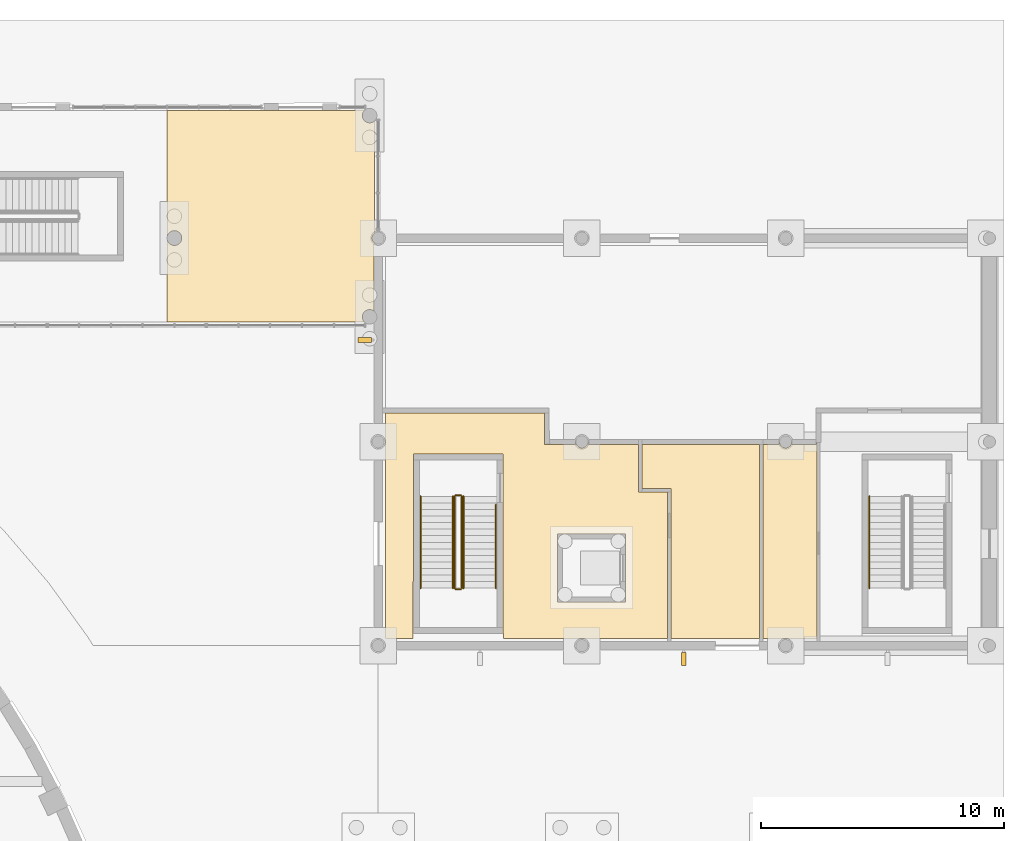
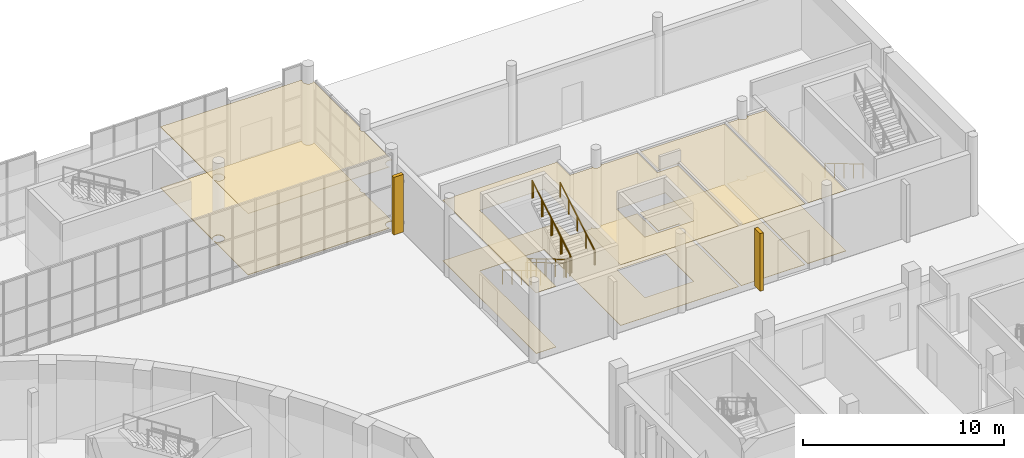
# One storey, part 107 of 110: 10 coverings, 9 railings.
"""IFC4 building model written with IfcOpenShell, lengths in metres."""

from ifc_helpers import new_model, si_unit, direction, frame, origin, origin_2d, place, context, subcontext, project, spatial, polyline, circle, outline, extrude, material, layer, layer_set, type_object, element, save


model = new_model("IFC4")

# Units and contexts
model_context = context("Model", 3, precision=1e-05, world=origin(), true_north=direction((0.0, 1.0)))
body_context = subcontext(model_context, "Body", "Model", "MODEL_VIEW")
ifc_project = project(units=[si_unit("LENGTHUNIT", "METRE"), si_unit("AREAUNIT", "SQUARE_METRE"), si_unit("VOLUMEUNIT", "CUBIC_METRE"), si_unit("PLANEANGLEUNIT", "RADIAN"), si_unit("MASSUNIT", "GRAM", prefix="KILO")], contexts=[model_context])

# Site, building, storey
site_placement = place(None, origin())
site = spatial("IfcSite", under=ifc_project, at=site_placement, CompositionType="ELEMENT")
building_placement = place(site_placement, origin())
building = spatial("IfcBuilding", under=site, at=building_placement, Name="Larchfold Concert Hall", CompositionType="ELEMENT")
storey_placement = place(building_placement, origin())
storey = spatial("IfcBuildingStorey", under=building, at=storey_placement, Name="L00", CompositionType="ELEMENT", Elevation=0.0)

# Coverings
ifc_material_1 = material(Name="Mineral fibre ceiling tile")
ifc_layer_1 = layer(ifc_material_1, 0.02001953125)
ifc_layer_set_1 = layer_set([ifc_layer_1], Name="Mineral fibre ceiling tile")
covering_type_1 = type_object("IfcCoveringType", Name="Ceiling mineral fibre tile 20", PredefinedType="CEILING", material=ifc_layer_set_1)
covering_1_placement = place(storey_placement, frame((0.0, 0.0, 3.68017578125)))
element("IfcCovering", 1, at=covering_1_placement, inside=storey, type_object=covering_type_1, Name="Ceiling Escape Corridor 08", PredefinedType="CEILING", context=body_context, shape_type="SweptSolid", body=[
    extrude(outline(polyline([(77.64990234375, 117.699951171875), (81.35009765625, 117.699951171875), (81.357421875, 110.10009765625), (88.1240234375, 110.10009765625), (88.1240234375, 116.1240234375), (88.18408203125, 116.1240234375), (86.927001953125, 116.1279296875), (86.925048828125, 118.199951171875), (86.925048828125, 118.099853515625), (84.8701171875, 118.100341796875), (84.8701171875, 118.200439453125), (84.85009765625, 118.200439453125), (84.847900390625, 118.167236328125), (84.8310546875, 118.104248046875), (84.79833984375, 118.0478515625), (84.77685546875, 118.023193359375), (84.752197265625, 118.001708984375), (84.69580078125, 117.968994140625), (84.664794921875, 117.95849609375), (84.60009765625, 117.949951171875), (84.535400390625, 117.95849609375), (84.50439453125, 117.968994140625), (84.447998046875, 118.001708984375), (84.42333984375, 118.023193359375), (84.40185546875, 118.0478515625), (84.369140625, 118.104248046875), (84.352294921875, 118.167236328125), (84.35009765625, 118.200439453125), (84.330078125, 118.200439453125), (84.330078125, 118.1005859375), (83.056396484375, 118.1005859375), (83.049560546875, 119.3984375), (83.149658203125, 119.39892578125), (76.5, 119.39892578125), (76.5, 110.10009765625), (77.641845703125, 110.10009765625), (77.64990234375, 113.682861328125), (77.64990234375, 117.699951171875)]), holes=[polyline([(83.60009765625, 111.60009765625), (83.60009765625, 114.39990234375), (86.39990234375, 114.39990234375), (86.39990234375, 111.60009765625), (83.60009765625, 111.60009765625)])]), origin(), (0.0, 0.0, 1.0), 0.02001953125),
])
covering_2_placement = place(storey_placement, frame((0.0, 0.0, 3.68017578125)))
element("IfcCovering", 2, at=covering_2_placement, inside=storey, type_object=covering_type_1, Name="Ceiling Instrument Store", PredefinedType="CEILING", context=body_context, shape_type="SweptSolid", body=[
    extrude(outline(polyline([(87.076904296875, 116.199951171875), (87.0771484375, 116.277587890625), (88.274169921875, 116.273681640625), (88.27392578125, 110.10009765625), (91.925048828125, 110.10009765625), (91.925048828125, 118.099853515625), (87.0751953125, 118.099853515625), (87.076904296875, 116.199951171875)])), origin(), (0.0, 0.0, 1.0), 0.02001953125),
])
covering_3_placement = place(storey_placement, frame((0.0, 0.0, 3.68017578125)))
element("IfcCovering", 3, at=covering_3_placement, inside=storey, type_object=covering_type_1, Name="Ceiling Public Toilets 03", PredefinedType="CEILING", context=body_context, shape_type="SweptSolid", body=[
    extrude(outline(polyline([(92.074951171875, 110.10009765625), (94.28857421875, 110.10009765625), (94.28857421875, 118.179931640625), (94.2509765625, 118.179931640625), (94.2509765625, 118.199951171875), (94.25, 118.099853515625), (93.27001953125, 118.099853515625), (93.27001953125, 118.199951171875), (93.25, 118.199951171875), (93.241455078125, 118.13525390625), (93.23095703125, 118.104248046875), (93.1982421875, 118.0478515625), (93.1767578125, 118.023193359375), (93.152099609375, 118.001708984375), (93.095703125, 117.968994140625), (93.064697265625, 117.95849609375), (93.0, 117.949951171875), (92.935302734375, 117.95849609375), (92.904296875, 117.968994140625), (92.847900390625, 118.001708984375), (92.8232421875, 118.023193359375), (92.8017578125, 118.0478515625), (92.76904296875, 118.104248046875), (92.758544921875, 118.13525390625), (92.75, 118.199951171875), (92.72998046875, 118.199951171875), (92.72998046875, 118.099853515625), (92.074951171875, 118.099853515625), (92.074951171875, 110.10009765625)])), origin(), (0.0, 0.0, 1.0), 0.02001953125),
])
ifc_material_2 = material(Name="Plasterboard ceiling lining")
ifc_layer_2 = layer(ifc_material_2, 0.030029296875)
ifc_layer_set_2 = layer_set([ifc_layer_2], Name="Plasterboard ceiling lining")
covering_type_2 = type_object("IfcCoveringType", Name="Ceiling suspended plasterboard 30", PredefinedType="CEILING", material=ifc_layer_set_2)
covering_4_placement = place(storey_placement, frame((0.0, 0.0, 3.719970703125)))
element("IfcCovering", 4, at=covering_4_placement, inside=storey, type_object=covering_type_2, Name="Ceiling Winter Garden Concourse North East", PredefinedType="CEILING", context=body_context, shape_type="SweptSolid", body=[
    extrude(outline(polyline([(75.62744140625, 131.85009765625), (67.49951171875, 131.85009765625), (67.49951171875, 126.654052734375), (67.50439453125, 126.679443359375), (67.534912109375, 126.7529296875), (67.557373046875, 126.78662109375), (67.613525390625, 126.8427734375), (67.647216796875, 126.864990234375), (67.68310546875, 126.8828125), (67.76025390625, 126.903564453125), (67.839599609375, 126.903564453125), (67.87939453125, 126.895751953125), (67.952880859375, 126.865234375), (67.986572265625, 126.8427734375), (68.042724609375, 126.78662109375), (68.06494140625, 126.7529296875), (68.082763671875, 126.717041015625), (68.103515625, 126.639892578125), (68.103515625, 126.560546875), (68.095703125, 126.520751953125), (68.065185546875, 126.447265625), (68.042724609375, 126.41357421875), (67.986572265625, 126.357421875), (67.952880859375, 126.335205078125), (67.9169921875, 126.3173828125), (67.83984375, 126.296630859375), (67.760498046875, 126.296630859375), (67.720703125, 126.304443359375), (67.647216796875, 126.3349609375), (67.613525390625, 126.357421875), (67.557373046875, 126.41357421875), (67.53515625, 126.447265625), (67.517333984375, 126.483154296875), (67.49951171875, 126.5498046875), (67.49951171875, 123.14990234375), (75.62744140625, 123.14990234375), (75.59033203125, 123.2001953125), (75.572998046875, 123.2353515625), (75.552734375, 123.31103515625), (75.550048828125, 123.35009765625), (75.552734375, 123.38916015625), (75.572998046875, 123.46484375), (75.59033203125, 123.5), (75.637939453125, 123.562255859375), (75.7001953125, 123.60986328125), (75.7353515625, 123.627197265625), (75.81103515625, 123.6474609375), (75.88916015625, 123.6474609375), (75.927734375, 123.639892578125), (75.96484375, 123.627197265625), (76.02490234375, 123.59326171875), (76.02490234375, 126.34912109375), (76.050048828125, 126.34912109375), (76.050048828125, 126.400146484375), (76.023193359375, 126.42333984375), (75.9833984375, 126.47509765625), (75.95849609375, 126.535400390625), (75.949951171875, 126.60009765625), (75.95849609375, 126.664794921875), (75.9833984375, 126.72509765625), (76.023193359375, 126.77685546875), (76.050048828125, 126.800048828125), (76.050048828125, 131.427001953125), (76.0, 131.39013671875), (75.96484375, 131.372802734375), (75.927734375, 131.360107421875), (75.85009765625, 131.349853515625), (75.7724609375, 131.360107421875), (75.7353515625, 131.372802734375), (75.66748046875, 131.411865234375), (75.637939453125, 131.437744140625), (75.612060546875, 131.46728515625), (75.572998046875, 131.53515625), (75.552734375, 131.61083984375), (75.550048828125, 131.64990234375), (75.552734375, 131.68896484375), (75.572998046875, 131.7646484375), (75.59033203125, 131.7998046875), (75.62744140625, 131.85009765625)])), origin(), (0.0, 0.0, 1.0), 0.030029296875),
])
ifc_material_3 = material(Name="Ceramic tile")
ifc_layer_3 = layer(ifc_material_3, 0.030029296875)
ifc_layer_set_3 = layer_set([ifc_layer_3], Name="Ceramic tile")
covering_type_3 = type_object("IfcCoveringType", Name="Floor finish ceramic tile 30", PredefinedType="FLOORING", material=ifc_layer_set_3)
covering_5_placement = place(storey_placement, origin())
element("IfcCovering", 5, at=covering_5_placement, inside=storey, type_object=covering_type_3, Name="Floor finish Public Toilets 03", PredefinedType="FLOORING", context=body_context, shape_type="SweptSolid", body=[
    extrude(outline(polyline([(92.074951171875, 110.10009765625), (94.28857421875, 110.10009765625), (94.28857421875, 118.179931640625), (94.2509765625, 118.179931640625), (94.2509765625, 118.199951171875), (94.25, 118.099853515625), (93.27001953125, 118.099853515625), (93.27001953125, 118.199951171875), (93.25, 118.199951171875), (93.241455078125, 118.13525390625), (93.23095703125, 118.104248046875), (93.1982421875, 118.0478515625), (93.1767578125, 118.023193359375), (93.152099609375, 118.001708984375), (93.095703125, 117.968994140625), (93.064697265625, 117.95849609375), (93.0, 117.949951171875), (92.935302734375, 117.95849609375), (92.904296875, 117.968994140625), (92.847900390625, 118.001708984375), (92.8232421875, 118.023193359375), (92.8017578125, 118.0478515625), (92.76904296875, 118.104248046875), (92.758544921875, 118.13525390625), (92.75, 118.199951171875), (92.72998046875, 118.199951171875), (92.72998046875, 118.099853515625), (92.074951171875, 118.099853515625), (92.074951171875, 110.10009765625)])), origin(), (0.0, 0.0, 1.0), 0.030029296875),
])
ifc_material_4 = material(Name="Polished terrazzo")
ifc_layer_4 = layer(ifc_material_4, 0.0400390625)
ifc_layer_set_4 = layer_set([ifc_layer_4], Name="Polished terrazzo")
covering_type_4 = type_object("IfcCoveringType", Name="Floor finish terrazzo 40", PredefinedType="FLOORING", material=ifc_layer_set_4)
covering_6_placement = place(storey_placement, origin())
element("IfcCovering", 6, at=covering_6_placement, inside=storey, type_object=covering_type_4, Name="Floor finish Winter Garden Concourse North East", PredefinedType="FLOORING", context=body_context, shape_type="SweptSolid", body=[
    extrude(outline(polyline([(75.62744140625, 131.85009765625), (67.49951171875, 131.85009765625), (67.49951171875, 126.654052734375), (67.50439453125, 126.679443359375), (67.534912109375, 126.7529296875), (67.557373046875, 126.78662109375), (67.613525390625, 126.8427734375), (67.647216796875, 126.864990234375), (67.68310546875, 126.8828125), (67.76025390625, 126.903564453125), (67.839599609375, 126.903564453125), (67.87939453125, 126.895751953125), (67.952880859375, 126.865234375), (67.986572265625, 126.8427734375), (68.042724609375, 126.78662109375), (68.06494140625, 126.7529296875), (68.082763671875, 126.717041015625), (68.103515625, 126.639892578125), (68.103515625, 126.560546875), (68.095703125, 126.520751953125), (68.065185546875, 126.447265625), (68.042724609375, 126.41357421875), (67.986572265625, 126.357421875), (67.952880859375, 126.335205078125), (67.9169921875, 126.3173828125), (67.83984375, 126.296630859375), (67.760498046875, 126.296630859375), (67.720703125, 126.304443359375), (67.647216796875, 126.3349609375), (67.613525390625, 126.357421875), (67.557373046875, 126.41357421875), (67.53515625, 126.447265625), (67.517333984375, 126.483154296875), (67.49951171875, 126.5498046875), (67.49951171875, 123.14990234375), (75.62744140625, 123.14990234375), (75.59033203125, 123.2001953125), (75.572998046875, 123.2353515625), (75.552734375, 123.31103515625), (75.550048828125, 123.35009765625), (75.552734375, 123.38916015625), (75.572998046875, 123.46484375), (75.59033203125, 123.5), (75.637939453125, 123.562255859375), (75.7001953125, 123.60986328125), (75.7353515625, 123.627197265625), (75.81103515625, 123.6474609375), (75.88916015625, 123.6474609375), (75.927734375, 123.639892578125), (75.96484375, 123.627197265625), (76.02490234375, 123.59326171875), (76.02490234375, 126.34912109375), (76.050048828125, 126.34912109375), (76.050048828125, 126.400146484375), (76.023193359375, 126.42333984375), (75.9833984375, 126.47509765625), (75.95849609375, 126.535400390625), (75.949951171875, 126.60009765625), (75.95849609375, 126.664794921875), (75.9833984375, 126.72509765625), (76.023193359375, 126.77685546875), (76.050048828125, 126.800048828125), (76.050048828125, 131.427001953125), (76.0, 131.39013671875), (75.96484375, 131.372802734375), (75.927734375, 131.360107421875), (75.85009765625, 131.349853515625), (75.7724609375, 131.360107421875), (75.7353515625, 131.372802734375), (75.66748046875, 131.411865234375), (75.637939453125, 131.437744140625), (75.612060546875, 131.46728515625), (75.572998046875, 131.53515625), (75.552734375, 131.61083984375), (75.550048828125, 131.64990234375), (75.552734375, 131.68896484375), (75.572998046875, 131.7646484375), (75.59033203125, 131.7998046875), (75.62744140625, 131.85009765625)])), origin(), (0.0, 0.0, 1.0), 0.0400390625),
])
ifc_material_5 = material(Name="Linoleum sheet")
ifc_layer_5 = layer(ifc_material_5, 0.02001953125)
ifc_layer_set_5 = layer_set([ifc_layer_5], Name="Linoleum sheet")
covering_type_5 = type_object("IfcCoveringType", Name="Floor finish vinyl 20", PredefinedType="FLOORING", material=ifc_layer_set_5)
covering_7_placement = place(storey_placement, origin())
element("IfcCovering", 7, at=covering_7_placement, inside=storey, type_object=covering_type_5, Name="Floor finish Escape Corridor 08", PredefinedType="FLOORING", context=body_context, shape_type="SweptSolid", body=[
    extrude(outline(polyline([(77.64990234375, 117.699951171875), (81.35009765625, 117.699951171875), (81.357421875, 110.10009765625), (88.1240234375, 110.10009765625), (88.1240234375, 116.1240234375), (88.18408203125, 116.1240234375), (86.927001953125, 116.1279296875), (86.925048828125, 118.199951171875), (86.925048828125, 118.099853515625), (84.8701171875, 118.100341796875), (84.8701171875, 118.200439453125), (84.85009765625, 118.200439453125), (84.847900390625, 118.167236328125), (84.8310546875, 118.104248046875), (84.79833984375, 118.0478515625), (84.77685546875, 118.023193359375), (84.752197265625, 118.001708984375), (84.69580078125, 117.968994140625), (84.664794921875, 117.95849609375), (84.60009765625, 117.949951171875), (84.535400390625, 117.95849609375), (84.50439453125, 117.968994140625), (84.447998046875, 118.001708984375), (84.42333984375, 118.023193359375), (84.40185546875, 118.0478515625), (84.369140625, 118.104248046875), (84.352294921875, 118.167236328125), (84.35009765625, 118.200439453125), (84.330078125, 118.200439453125), (84.330078125, 118.1005859375), (83.056396484375, 118.1005859375), (83.049560546875, 119.3984375), (83.149658203125, 119.39892578125), (76.5, 119.39892578125), (76.5, 110.10009765625), (77.641845703125, 110.10009765625), (77.64990234375, 113.682861328125), (77.64990234375, 117.699951171875)]), holes=[polyline([(83.60009765625, 111.60009765625), (83.60009765625, 114.39990234375), (86.39990234375, 114.39990234375), (86.39990234375, 111.60009765625), (83.60009765625, 111.60009765625)])]), origin(), (0.0, 0.0, 1.0), 0.02001953125),
])
covering_8_placement = place(storey_placement, origin())
element("IfcCovering", 8, at=covering_8_placement, inside=storey, type_object=covering_type_5, Name="Floor finish Instrument Store", PredefinedType="FLOORING", context=body_context, shape_type="SweptSolid", body=[
    extrude(outline(polyline([(87.076904296875, 116.199951171875), (87.0771484375, 116.277587890625), (88.274169921875, 116.273681640625), (88.27392578125, 110.10009765625), (91.925048828125, 110.10009765625), (91.925048828125, 118.099853515625), (87.0751953125, 118.099853515625), (87.076904296875, 116.199951171875)])), origin(), (0.0, 0.0, 1.0), 0.02001953125),
])
ifc_material_6 = material(Name="Glulam GL30c", Category="wood")
ifc_layer_6 = layer(ifc_material_6, 0.199951171875)
ifc_layer_set_6 = layer_set([ifc_layer_6], Name="Glulam GL30c")
covering_type_6 = type_object("IfcCoveringType", Name="Glulam fin 200x550", PredefinedType="CLADDING", material=ifc_layer_set_6)
covering_9_placement = place(storey_placement, frame((0.0, 0.0, 0.199951171875)))
element("IfcCovering", 9, at=covering_9_placement, inside=storey, type_object=covering_type_6, Name="Glulam fin FN-L00-030", PredefinedType="CLADDING", context=body_context, shape_type="SweptSolid", body=[
    extrude(outline(polyline([(75.925048828125, 122.300048828125), (75.925048828125, 122.5), (75.375, 122.5), (75.375, 122.300048828125), (75.925048828125, 122.300048828125)])), origin(), (0.0, 0.0, 1.0), 3.5),
])
covering_10_placement = place(storey_placement, frame((0.0, 0.0, 0.199951171875)))
element("IfcCovering", 10, at=covering_10_placement, inside=storey, type_object=covering_type_6, Name="Glulam fin FN-L00-032", PredefinedType="CLADDING", context=body_context, shape_type="SweptSolid", body=[
    extrude(outline(polyline([(88.89990234375, 108.97509765625), (88.89990234375, 109.525146484375), (88.699951171875, 109.525146484375), (88.699951171875, 108.97509765625), (88.89990234375, 108.97509765625)])), origin(), (0.0, 0.0, 1.0), 3.5),
])

# Railings
ifc_material_7 = material(Name="Stainless steel balustrade", Category="steel")
railing_type_1 = type_object("IfcRailingType", Name="Stair guard 1100", PredefinedType="GUARDRAIL", material=ifc_material_7)
railing_1_placement = place(storey_placement, frame((79.349853515625, 115.949951171875, 0.159912109375)))
element("IfcRailing", 11, at=railing_1_placement, inside=storey, type_object=railing_type_1, Name="Guard GR0077", PredefinedType="GUARDRAIL", context=body_context, shape_type="SweptSolid", body=[
    extrude(circle(Radius=0.02392578125, at=origin_2d()), frame((0.0, 0.0, 1.076171875), z_axis=(0.0, -0.860294241299, 0.509797821089), x_axis=(1.0, 0.0, 0.0)), (0.0, 0.0, 1.0), 4.393798828125),
    extrude(circle(Radius=0.02099609375, at=origin_2d()), origin(), (0.0, 0.0, 1.0), 1.052001953125),
    extrude(circle(Radius=0.02099609375, at=origin_2d()), frame((0.0, -0.945068359375, 0.56005859375)), (0.0, 0.0, 1.0), 1.052001953125),
    extrude(circle(Radius=0.02099609375, at=origin_2d()), frame((0.0, -1.89013671875, 1.1201171875)), (0.0, 0.0, 1.0), 1.052001953125),
    extrude(circle(Radius=0.02099609375, at=origin_2d()), frame((0.0, -2.8349609375, 1.679931640625)), (0.0, 0.0, 1.0), 1.052001953125),
    extrude(circle(Radius=0.02099609375, at=origin_2d()), frame((0.0, -3.780029296875, 2.239990234375)), (0.0, 0.0, 1.0), 1.052001953125),
])
railing_2_placement = place(storey_placement, frame((79.39990234375, 112.119873046875, 2.39990234375)))
element("IfcRailing", 12, at=railing_2_placement, inside=storey, type_object=railing_type_1, Name="Guard GR0078", PredefinedType="GUARDRAIL", context=body_context, shape_type="SweptSolid", body=[
    extrude(circle(Radius=0.02392578125, at=origin_2d()), frame((0.0, 0.0, 1.076171875), z_axis=(1.0, 0.0, 0.0), x_axis=(0.0, 1.0, 0.0)), (0.0, 0.0, 1.0), 0.199951171875),
    extrude(circle(Radius=0.02099609375, at=origin_2d()), origin(), (0.0, 0.0, 1.0), 1.052001953125),
    extrude(circle(Radius=0.02099609375, at=origin_2d()), frame((0.199951171875, 0.0, 0.0)), (0.0, 0.0, 1.0), 1.052001953125),
])
railing_3_placement = place(storey_placement, frame((79.64990234375, 112.169921875, 2.56005859375)))
element("IfcRailing", 13, at=railing_3_placement, inside=storey, type_object=railing_type_1, Name="Guard GR0079", PredefinedType="GUARDRAIL", context=body_context, shape_type="SweptSolid", body=[
    extrude(circle(Radius=0.02392578125, at=origin_2d()), frame((0.0, 0.0, 1.076171875), z_axis=(0.0, 0.860294241299, 0.509797821089), x_axis=(-1.0, 0.0, 0.0)), (0.0, 0.0, 1.0), 4.393798828125),
    extrude(circle(Radius=0.02099609375, at=origin_2d()), origin(), (0.0, 0.0, 1.0), 1.052001953125),
    extrude(circle(Radius=0.02099609375, at=origin_2d()), frame((0.0, 0.945068359375, 0.56005859375)), (0.0, 0.0, 1.0), 1.052001953125),
    extrude(circle(Radius=0.02099609375, at=origin_2d()), frame((0.0, 1.89013671875, 1.1201171875)), (0.0, 0.0, 1.0), 1.052001953125),
    extrude(circle(Radius=0.02099609375, at=origin_2d()), frame((0.0, 2.8349609375, 1.679931640625)), (0.0, 0.0, 1.0), 1.052001953125),
    extrude(circle(Radius=0.02099609375, at=origin_2d()), frame((0.0, 3.780029296875, 2.239990234375)), (0.0, 0.0, 1.0), 1.052001953125),
])
railing_4_placement = place(storey_placement, frame((79.39990234375, 116.0, 0.0)))
element("IfcRailing", 14, at=railing_4_placement, inside=storey, type_object=railing_type_1, Name="Guard GR0080", PredefinedType="GUARDRAIL", context=body_context, shape_type="SweptSolid", body=[
    extrude(circle(Radius=0.02392578125, at=origin_2d()), frame((0.0, 0.0, 1.076171875), z_axis=(1.0, 0.0, 0.0), x_axis=(0.0, 1.0, 0.0)), (0.0, 0.0, 1.0), 0.199951171875),
    extrude(circle(Radius=0.02099609375, at=origin_2d()), origin(), (0.0, 0.0, 1.0), 1.052001953125),
    extrude(circle(Radius=0.02099609375, at=origin_2d()), frame((0.199951171875, 0.0, 0.0)), (0.0, 0.0, 1.0), 1.052001953125),
])
ifc_material_8 = material(Name="Stainless steel handrail", Category="steel")
railing_type_2 = type_object("IfcRailingType", Name="Stair handrail 900", PredefinedType="HANDRAIL", material=ifc_material_8)
railing_5_placement = place(storey_placement, frame((77.949951171875, 115.949951171875, 0.159912109375)))
element("IfcRailing", 15, at=railing_5_placement, inside=storey, type_object=railing_type_2, Name="Handrail HR0073", PredefinedType="HANDRAIL", context=body_context, shape_type="SweptSolid", body=[
    extrude(circle(Radius=0.02392578125, at=origin_2d()), frame((0.0, 0.0, 0.8759765625), z_axis=(0.0, -0.860294241299, 0.509797821089), x_axis=(1.0, 0.0, 0.0)), (0.0, 0.0, 1.0), 4.393798828125),
    extrude(circle(Radius=0.02099609375, at=origin_2d()), origin(), (0.0, 0.0, 1.0), 0.851806640625),
    extrude(circle(Radius=0.02099609375, at=origin_2d()), frame((0.0, -0.945068359375, 0.56005859375)), (0.0, 0.0, 1.0), 0.851806640625),
    extrude(circle(Radius=0.02099609375, at=origin_2d()), frame((0.0, -1.89013671875, 1.1201171875)), (0.0, 0.0, 1.0), 0.851806640625),
    extrude(circle(Radius=0.02099609375, at=origin_2d()), frame((0.0, -2.8349609375, 1.679931640625)), (0.0, 0.0, 1.0), 0.851806640625),
    extrude(circle(Radius=0.02099609375, at=origin_2d()), frame((0.0, -3.780029296875, 2.239990234375)), (0.0, 0.0, 1.0), 0.851806640625),
])
railing_6_placement = place(storey_placement, frame((81.0498046875, 112.169921875, 2.56005859375)))
element("IfcRailing", 16, at=railing_6_placement, inside=storey, type_object=railing_type_2, Name="Handrail HR0074", PredefinedType="HANDRAIL", context=body_context, shape_type="SweptSolid", body=[
    extrude(circle(Radius=0.02392578125, at=origin_2d()), frame((0.0, 0.0, 0.8759765625), z_axis=(0.0, 0.860316398594, 0.509760428348), x_axis=(-1.0, 0.0, 0.0)), (0.0, 0.0, 1.0), 3.987060546875),
    extrude(circle(Radius=0.02099609375, at=origin_2d()), origin(), (0.0, 0.0, 1.0), 0.851806640625),
    extrude(circle(Radius=0.02099609375, at=origin_2d()), frame((0.0, 0.857421875, 0.508056640625)), (0.0, 0.0, 1.0), 0.851806640625),
    extrude(circle(Radius=0.02099609375, at=origin_2d()), frame((0.0, 1.715087890625, 1.01611328125)), (0.0, 0.0, 1.0), 0.851806640625),
    extrude(circle(Radius=0.02099609375, at=origin_2d()), frame((0.0, 2.57275390625, 1.5244140625)), (0.0, 0.0, 1.0), 0.851806640625),
    extrude(circle(Radius=0.02099609375, at=origin_2d()), frame((0.0, 3.43017578125, 2.032470703125)), (0.0, 0.0, 1.0), 0.851806640625),
])
railing_7_placement = place(storey_placement, frame((79.27978515625, 115.949951171875, 0.159912109375)))
element("IfcRailing", 17, at=railing_7_placement, inside=storey, type_object=railing_type_2, Name="Handrail HR0075", PredefinedType="HANDRAIL", context=body_context, shape_type="SweptSolid", body=[
    extrude(circle(Radius=0.02392578125, at=origin_2d()), frame((0.0, 0.0, 0.8759765625), z_axis=(0.0, -0.860294241299, 0.509797821089), x_axis=(1.0, 0.0, 0.0)), (0.0, 0.0, 1.0), 4.393798828125),
    extrude(circle(Radius=0.02099609375, at=origin_2d()), origin(), (0.0, 0.0, 1.0), 0.851806640625),
    extrude(circle(Radius=0.02099609375, at=origin_2d()), frame((0.0, -0.945068359375, 0.56005859375)), (0.0, 0.0, 1.0), 0.851806640625),
    extrude(circle(Radius=0.02099609375, at=origin_2d()), frame((0.0, -1.89013671875, 1.1201171875)), (0.0, 0.0, 1.0), 0.851806640625),
    extrude(circle(Radius=0.02099609375, at=origin_2d()), frame((0.0, -2.8349609375, 1.679931640625)), (0.0, 0.0, 1.0), 0.851806640625),
    extrude(circle(Radius=0.02099609375, at=origin_2d()), frame((0.0, -3.780029296875, 2.239990234375)), (0.0, 0.0, 1.0), 0.851806640625),
])
railing_8_placement = place(storey_placement, frame((79.719970703125, 112.169921875, 2.56005859375)))
element("IfcRailing", 18, at=railing_8_placement, inside=storey, type_object=railing_type_2, Name="Handrail HR0076", PredefinedType="HANDRAIL", context=body_context, shape_type="SweptSolid", body=[
    extrude(circle(Radius=0.02392578125, at=origin_2d()), frame((0.0, 0.0, 0.8759765625), z_axis=(0.0, 0.860294241299, 0.509797821089), x_axis=(-1.0, 0.0, 0.0)), (0.0, 0.0, 1.0), 4.393798828125),
    extrude(circle(Radius=0.02099609375, at=origin_2d()), origin(), (0.0, 0.0, 1.0), 0.851806640625),
    extrude(circle(Radius=0.02099609375, at=origin_2d()), frame((0.0, 0.945068359375, 0.56005859375)), (0.0, 0.0, 1.0), 0.851806640625),
    extrude(circle(Radius=0.02099609375, at=origin_2d()), frame((0.0, 1.89013671875, 1.1201171875)), (0.0, 0.0, 1.0), 0.851806640625),
    extrude(circle(Radius=0.02099609375, at=origin_2d()), frame((0.0, 2.8349609375, 1.679931640625)), (0.0, 0.0, 1.0), 0.851806640625),
    extrude(circle(Radius=0.02099609375, at=origin_2d()), frame((0.0, 3.780029296875, 2.239990234375)), (0.0, 0.0, 1.0), 0.851806640625),
])
railing_9_placement = place(storey_placement, frame((96.449951171875, 115.949951171875, 0.159912109375)))
element("IfcRailing", 19, at=railing_9_placement, inside=storey, type_object=railing_type_2, Name="Handrail HR0077", PredefinedType="HANDRAIL", context=body_context, shape_type="SweptSolid", body=[
    extrude(circle(Radius=0.02392578125, at=origin_2d()), frame((0.0, 0.0, 0.8759765625), z_axis=(0.0, -0.860294241299, 0.509797821089), x_axis=(1.0, 0.0, 0.0)), (0.0, 0.0, 1.0), 4.393798828125),
    extrude(circle(Radius=0.02099609375, at=origin_2d()), origin(), (0.0, 0.0, 1.0), 0.851806640625),
    extrude(circle(Radius=0.02099609375, at=origin_2d()), frame((0.0, -0.945068359375, 0.56005859375)), (0.0, 0.0, 1.0), 0.851806640625),
    extrude(circle(Radius=0.02099609375, at=origin_2d()), frame((0.0, -1.89013671875, 1.1201171875)), (0.0, 0.0, 1.0), 0.851806640625),
    extrude(circle(Radius=0.02099609375, at=origin_2d()), frame((0.0, -2.8349609375, 1.679931640625)), (0.0, 0.0, 1.0), 0.851806640625),
    extrude(circle(Radius=0.02099609375, at=origin_2d()), frame((0.0, -3.780029296875, 2.239990234375)), (0.0, 0.0, 1.0), 0.851806640625),
])

save(model, "model.ifc")
